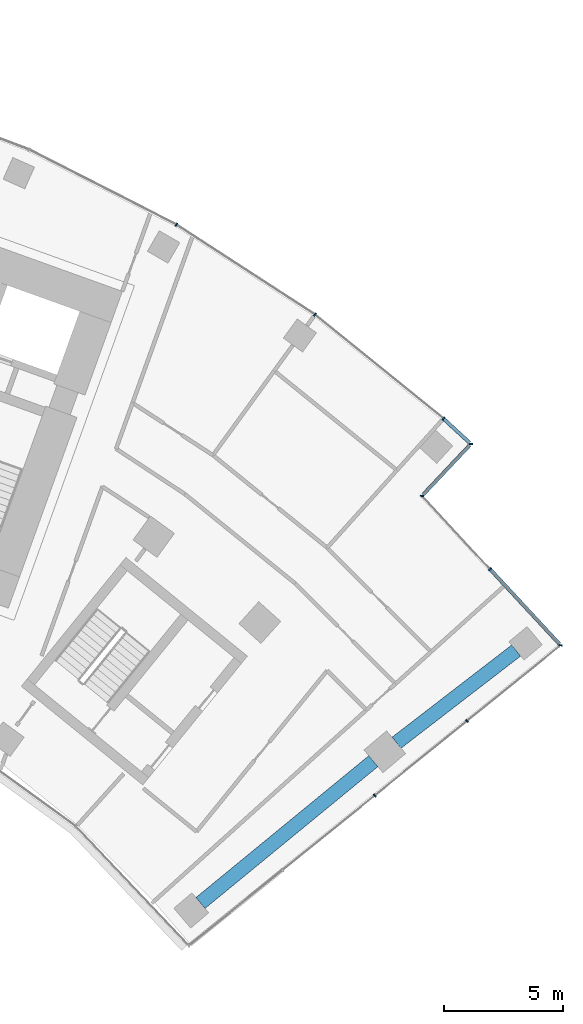
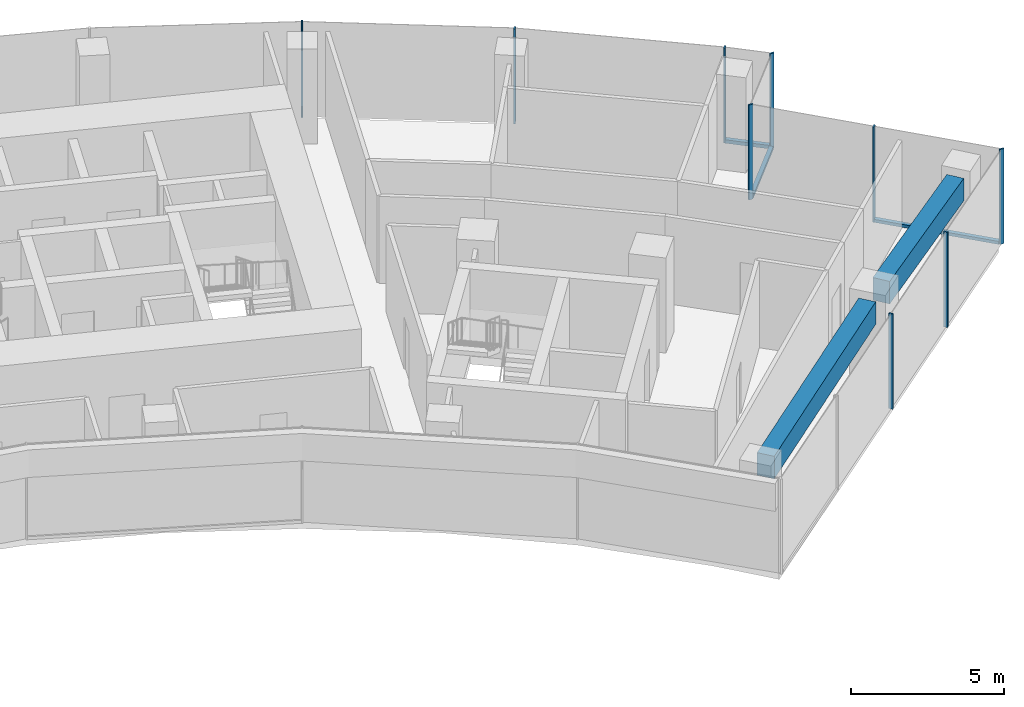
# One storey, part 9 of 21: 12 members, 2 beams, 4 elements without a shape of their own.
"""IFC4 building model written with IfcOpenShell, lengths in metres."""

import ifcopenshell
import ifcopenshell.guid

model = None  # the IFC model being written
_history = None  # IfcOwnerHistory: only IFC2X3 demands one
_inside = {}  # id of a spatial element -> (the spatial element, [elements in it])
_under = {}  # id of a project, library or spatial element -> (it, [spatial elements below it])
_declared = {}  # id of a project -> (the project, [libraries it declares])
_typed = {}  # id of a type object -> (the type object, [elements of that type])
_made_of = {}  # id of a material, layer set ... -> (it, [elements and type objects made of it])


def new_model(schema):
    """Start an empty IFC model of exactly this schema.

    Asked for "IFC4X3", IfcOpenShell would pick the latest addendum, in which some entities
    have other attributes; the version numbers below select the first issue.
    IFC2X3 requires an IfcOwnerHistory on every rooted entity: one is made here for all.
    """
    global model, _history
    if schema == "IFC4X3":
        model = ifcopenshell.file(schema_version=(4, 3, 0, 0))
    else:
        model = ifcopenshell.file(schema=schema)
    _inside.clear()
    _under.clear()
    _declared.clear()
    _typed.clear()
    _made_of.clear()
    _history = None
    if model.schema == "IFC2X3":
        org = make("IfcOrganization", Name="unknown")
        user = make(
            "IfcPersonAndOrganization",
            ThePerson=make("IfcPerson", FamilyName="unknown"),
            TheOrganization=org,
        )
        app = make(
            "IfcApplication",
            ApplicationDeveloper=org,
            Version="unknown",
            ApplicationFullName="unknown",
            ApplicationIdentifier="unknown",
        )
        _history = make(
            "IfcOwnerHistory",
            OwningUser=user,
            OwningApplication=app,
            ChangeAction="ADDED",
            CreationDate=0,
        )
    return model


def make(cls, **values):
    """One entity of the class cls with the attributes given. An attribute that is None is left unset."""
    return model.create_entity(
        cls, **{name: value for name, value in values.items() if value is not None}
    )


def rooted(cls, **values):
    """An entity with a GlobalId (a new one), such as an element, a storey or a relation."""
    return make(cls, GlobalId=ifcopenshell.guid.new(), OwnerHistory=_history, **values)


def si_unit(unit_type, name, prefix=None):
    """IfcSIUnit, for example si_unit("LENGTHUNIT", "METRE", prefix="MILLI")."""
    return make("IfcSIUnit", UnitType=unit_type, Prefix=prefix, Name=name)


def assignment(units):
    """IfcUnitAssignment: the units of a project."""
    return None if units is None else make("IfcUnitAssignment", Units=units)


def point(xyz):
    """IfcCartesianPoint."""
    return None if xyz is None else make("IfcCartesianPoint", Coordinates=xyz)


def direction(xyz):
    """IfcDirection."""
    return None if xyz is None else make("IfcDirection", DirectionRatios=xyz)


def frame(location, z_axis=None, x_axis=None):
    """IfcAxis2Placement3D, a coordinate frame: its origin and axes. An axis left out is left unset."""
    return make(
        "IfcAxis2Placement3D",
        Location=point(location),
        Axis=direction(z_axis),
        RefDirection=direction(x_axis),
    )


def frame_2d(location, x_axis=None):
    """IfcAxis2Placement2D, a coordinate frame in the plane: its origin and x axis."""
    return make(
        "IfcAxis2Placement2D", Location=point(location), RefDirection=direction(x_axis)
    )


def origin():
    """The frame at (0, 0, 0) with its axes left unset."""
    return frame((0.0, 0.0, 0.0))


def origin_2d():
    """The frame at (0, 0) in the plane with its x axis left unset."""
    return frame_2d((0.0, 0.0))


def place(relative_to, where):
    """IfcLocalPlacement: puts the frame where relative to a parent placement (None: the world)."""
    return make(
        "IfcLocalPlacement", PlacementRelTo=relative_to, RelativePlacement=where
    )


def context(
    kind, dimensions, precision=None, world=None, true_north=None, identifier=None
):
    """IfcGeometricRepresentationContext, for example the 3D "Model" context."""
    return make(
        "IfcGeometricRepresentationContext",
        ContextIdentifier=identifier,
        ContextType=kind,
        CoordinateSpaceDimension=dimensions,
        Precision=precision,
        WorldCoordinateSystem=world,
        TrueNorth=true_north,
    )


def subcontext(parent, identifier, kind, view, scale=None):
    """IfcGeometricRepresentationSubContext, for example "Body" below "Model"."""
    return make(
        "IfcGeometricRepresentationSubContext",
        ContextIdentifier=identifier,
        ContextType=kind,
        ParentContext=parent,
        TargetScale=scale,
        TargetView=view,
    )


def project(units=None, contexts=None):
    """IfcProject with its units and contexts."""
    return rooted(
        "IfcProject",
        Name="project",
        RepresentationContexts=contexts,
        UnitsInContext=assignment(units),
    )


def spatial(cls, under=None, at=None, **own):
    """A site, building, storey or space (cls), placed at a placement, below another one or the project."""
    s = rooted(cls, ObjectPlacement=at, **own)
    if under is not None:
        _under.setdefault(under.id(), (under, []))[1].append(s)
    return s


def profile(cls, at=None, kind="AREA", **sizes):
    """A parametric profile (cls). Its sizes go by their IFC names, for example OverallWidth=200.0."""
    return make(cls, ProfileType=kind, Position=at, **sizes)


def rectangle(**sizes):
    """IfcRectangleProfileDef."""
    return profile("IfcRectangleProfileDef", **sizes)


def extrude(swept, where, along, depth):
    """IfcExtrudedAreaSolid: the profile swept, set in the frame where, extruded along a direction by depth."""
    return make(
        "IfcExtrudedAreaSolid",
        SweptArea=swept,
        Position=where,
        ExtrudedDirection=direction(along),
        Depth=depth,
    )


def shape(context_of_items, identifier, shape_type, items):
    """IfcShapeRepresentation: the items that make up one representation, for example the "Body"."""
    return make(
        "IfcShapeRepresentation",
        ContextOfItems=context_of_items,
        RepresentationIdentifier=identifier,
        RepresentationType=shape_type,
        Items=items,
    )


def material(Name=None, Category=None):
    """IfcMaterial."""
    return make("IfcMaterial", Name=Name, Category=Category)


def layer(
    of_material, thickness, ventilated=None, Name=None, Category=None, Priority=None
):
    """IfcMaterialLayer: one layer of a wall or slab, of a material (None: an air gap)."""
    return make(
        "IfcMaterialLayer",
        Material=of_material,
        LayerThickness=thickness,
        IsVentilated=ventilated,
        Name=Name,
        Category=Category,
        Priority=Priority,
    )


def layer_set(layers, Name=None):
    """IfcMaterialLayerSet."""
    return make("IfcMaterialLayerSet", MaterialLayers=layers, LayerSetName=Name)


def material_profile(
    of_material, cross_section, Name=None, Category=None, Priority=None
):
    """IfcMaterialProfile: a cross section and its material."""
    return make(
        "IfcMaterialProfile",
        Name=Name,
        Material=of_material,
        Profile=cross_section,
        Priority=Priority,
        Category=Category,
    )


def profile_set(profiles, Name=None, composite=None):
    """IfcMaterialProfileSet."""
    return make(
        "IfcMaterialProfileSet",
        Name=Name,
        MaterialProfiles=profiles,
        CompositeProfile=composite,
    )


def made_of(thing, what):
    """Note that an element or type object is made of a material, layer set ...; save() writes the relation."""
    if what is not None:
        _made_of.setdefault(what.id(), (what, []))[1].append(thing)
    return thing


def type_object(cls, material=None, **own):
    """A type object (cls), such as IfcWallType, which elements share."""
    return made_of(rooted(cls, **own), material)


def element(
    cls,
    number,
    at=None,
    inside=None,
    cuts=None,
    type_object=None,
    material=None,
    context=None,
    identifier="Body",
    shape_type=None,
    held_by="IfcProductDefinitionShape",
    body=None,
    shapes=None,
    **own,
):
    """One element of the class cls, such as IfcWall. Its Tag is "e" and its number.

    at: its placement. inside: the storey or other place that contains it. cuts: it is an
    opening in that element (IfcRelVoidsElement). A single representation is given by context,
    identifier, shape_type and body (its items); several are given by shapes. held_by: the class
    of the entity that holds the representations. save() writes the other relations.
    """
    e = rooted(cls, Tag="e%d" % number, ObjectPlacement=at, **own)
    if body is not None:
        shapes = [shape(context, identifier, shape_type, body)]
    if shapes is not None:
        e.Representation = make(held_by, Representations=shapes)
    if inside is not None:
        _inside.setdefault(inside.id(), (inside, []))[1].append(e)
    if cuts is not None:
        rooted(
            "IfcRelVoidsElement", RelatingBuildingElement=cuts, RelatedOpeningElement=e
        )
    if type_object is not None:
        _typed.setdefault(type_object.id(), (type_object, []))[1].append(e)
    return made_of(e, material)


def aggregate(whole, parts):
    """IfcRelAggregates: a whole, such as a stair, and the parts it consists of."""
    return rooted("IfcRelAggregates", RelatingObject=whole, RelatedObjects=parts)


def save(model, path):
    """Write the relations noted so far, then the file.

    IfcRelAggregates (storeys below a building ...), IfcRelContainedInSpatialStructure (elements
    in a storey), IfcRelDefinesByType, IfcRelAssociatesMaterial and IfcRelDeclares: one each for
    every whole, place, type object, material and project.
    """
    for whole, parts in _under.values():
        aggregate(whole, parts)
    for where, things in _inside.values():
        rooted(
            "IfcRelContainedInSpatialStructure",
            RelatedElements=things,
            RelatingStructure=where,
        )
    for kind, things in _typed.values():
        rooted("IfcRelDefinesByType", RelatedObjects=things, RelatingType=kind)
    for what, things in _made_of.values():
        rooted("IfcRelAssociatesMaterial", RelatedObjects=things, RelatingMaterial=what)
    for by, libraries in _declared.values():
        rooted("IfcRelDeclares", RelatingContext=by, RelatedDefinitions=libraries)
    model.write(path)


model = new_model("IFC4")

# Units and contexts
model_context = context("Model", 3, precision=1e-05, world=origin(), true_north=direction((0.0, 1.0)))
body_context = subcontext(model_context, "Body", "Model", "MODEL_VIEW")
ifc_project = project(units=[si_unit("LENGTHUNIT", "METRE"), si_unit("AREAUNIT", "SQUARE_METRE"), si_unit("VOLUMEUNIT", "CUBIC_METRE"), si_unit("PLANEANGLEUNIT", "RADIAN"), si_unit("MASSUNIT", "GRAM", prefix="KILO")], contexts=[model_context])

# Site, building, storey
site_placement = place(None, origin())
site = spatial("IfcSite", under=ifc_project, at=site_placement, CompositionType="ELEMENT")
building_placement = place(site_placement, origin())
building = spatial("IfcBuilding", under=site, at=building_placement, Name="Stone Belt Terrace Tower", CompositionType="ELEMENT")
storey_placement = place(building_placement, frame((0.0, 0.0, 163.0)))
storey = spatial("IfcBuildingStorey", under=building, at=storey_placement, Name="L39", CompositionType="ELEMENT", Elevation=163.0)

# Curtain wall, members
ifc_material_1 = material(Name="Aluminium 6063-T6 anodised frame", Category="aluminium")
ifc_layer_1 = layer(ifc_material_1, 0.14990234375)
ifc_layer_set_1 = layer_set([ifc_layer_1], Name="CW-A unitised convex-face curtain wall")
curtain_wall_type_1 = type_object("IfcCurtainWallType", Name="CW-A unitised convex-face curtain wall", PredefinedType="NOTDEFINED", material=ifc_layer_set_1)
curtain_wall_1_placement = place(storey_placement, origin())
curtain_wall_1 = element("IfcCurtainWall", 1, at=curtain_wall_1_placement, inside=storey, type_object=curtain_wall_type_1, Name="CW-A convex face L39", PredefinedType="NOTDEFINED")
ifc_material_profile_1 = material_profile(ifc_material_1, rectangle(XDim=0.14990234375, YDim=0.06005859375, at=origin_2d()), Name="Aluminium 6063-T6 60x150")
ifc_profile_set_1 = profile_set([ifc_material_profile_1], Name="Aluminium 6063-T6 anodised frame")
member_type_1 = type_object("IfcMemberType", Name="CW-A mullion 60 x 150", PredefinedType="MULLION", material=ifc_profile_set_1)
member_1_placement = place(storey_placement, frame((45.705810546875, 48.40771484375, 0.0), z_axis=(0.0, 0.0, 1.0), x_axis=(-0.999371341174, -0.035453101983, 0.0)))
member_1 = element("IfcMember", 2, at=member_1_placement, type_object=member_type_1, Name="CW-A mullion 1", PredefinedType="MULLION", context=body_context, shape_type="SweptSolid", body=[
    extrude(rectangle(XDim=0.14990234375, YDim=0.06005859375, at=origin_2d()), origin(), (0.0, 0.0, 1.0), 3.800048828125),
])
member_2_placement = place(storey_placement, frame((44.546142578125, 49.475830078125, 0.0), z_axis=(0.0, 0.0, 1.0), x_axis=(-0.653721175671, -0.756735504968, 0.0)))
member_2 = element("IfcMember", 3, at=member_2_placement, type_object=member_type_1, Name="CW-A mullion 2", PredefinedType="MULLION", context=body_context, shape_type="SweptSolid", body=[
    extrude(rectangle(XDim=0.14990234375, YDim=0.06005859375, at=origin_2d()), origin(), (0.0, 0.0, 1.0), 3.800048828125),
])
member_3_placement = place(storey_placement, frame((39.1318359375, 53.8603515625, 0.0), z_axis=(0.0, 0.0, 1.0), x_axis=(-0.587785252292, -0.809016994375, 0.0)))
member_3 = element("IfcMember", 4, at=member_3_placement, type_object=member_type_1, Name="CW-A mullion 3", PredefinedType="MULLION", context=body_context, shape_type="SweptSolid", body=[
    extrude(rectangle(XDim=0.14990234375, YDim=0.06005859375, at=origin_2d()), origin(), (0.0, 0.0, 1.0), 3.800048828125),
])
member_4_placement = place(storey_placement, frame((33.28759765625, 57.65576171875, 0.0), z_axis=(0.0, 0.0, 1.0), x_axis=(-0.5, -0.866025403784, 0.0)))
member_4 = element("IfcMember", 5, at=member_4_placement, type_object=member_type_1, Name="CW-A mullion 4", PredefinedType="MULLION", context=body_context, shape_type="SweptSolid", body=[
    extrude(rectangle(XDim=0.14990234375, YDim=0.06005859375, at=origin_2d()), origin(), (0.0, 0.0, 1.0), 3.800048828125),
])
ifc_material_profile_2 = material_profile(ifc_material_1, rectangle(XDim=0.14990234375, YDim=0.139892578125, at=origin_2d()), Name="Aluminium 6063-T6 150x140")
ifc_profile_set_2 = profile_set([ifc_material_profile_2], Name="Aluminium 6063-T6 anodised frame")
member_type_2 = type_object("IfcMemberType", Name="CW-A transom 140 x 150", PredefinedType="USERDEFINED", material=ifc_profile_set_2)
member_5_placement = place(storey_placement, frame((45.651123046875, 48.458251953125, 0.070068359375), z_axis=(-0.735497183458, 0.677527780335, 0.0), x_axis=(-0.677527780335, -0.735497183458, 0.0)))
member_5 = element("IfcMember", 6, at=member_5_placement, type_object=member_type_2, Name="CW-A transom 1.1", ObjectType="TRANSOM", PredefinedType="USERDEFINED", context=body_context, shape_type="SweptSolid", body=[
    extrude(rectangle(XDim=0.14990234375, YDim=0.139892578125, at=origin_2d()), origin(), (0.0, 0.0, 1.0), 1.4697265625),
])
aggregate(curtain_wall_1, [member_1, member_2, member_3, member_4, member_5])

ifc_layer_2 = layer(ifc_material_1, 0.14990234375)
ifc_layer_set_2 = layer_set([ifc_layer_2], Name="CW-C stick curtain wall, horn ends and notches")
curtain_wall_type_2 = type_object("IfcCurtainWallType", Name="CW-C stick curtain wall, horn ends and notches", PredefinedType="NOTDEFINED", material=ifc_layer_set_2)
curtain_wall_2_placement = place(storey_placement, origin())
curtain_wall_2 = element("IfcCurtainWall", 7, at=curtain_wall_2_placement, inside=storey, type_object=curtain_wall_type_2, Name="CW-C end face L39", PredefinedType="NOTDEFINED")
ifc_material_profile_3 = material_profile(ifc_material_1, rectangle(XDim=0.14990234375, YDim=0.06005859375, at=origin_2d()), Name="Aluminium 6063-T6 60x150")
ifc_profile_set_3 = profile_set([ifc_material_profile_3], Name="Aluminium 6063-T6 anodised frame")
member_type_3 = type_object("IfcMemberType", Name="CW-C mullion 60 x 150", PredefinedType="MULLION", material=ifc_profile_set_3)
member_6_placement = place(storey_placement, frame((41.651123046875, 33.577392578125, 0.0), z_axis=(0.0, 0.0, 1.0), x_axis=(-0.628705337721, 0.777643619096, 0.0)))
member_6 = element("IfcMember", 8, at=member_6_placement, type_object=member_type_3, Name="CW-C mullion 3", PredefinedType="MULLION", context=body_context, shape_type="SweptSolid", body=[
    extrude(rectangle(XDim=0.14990234375, YDim=0.06005859375, at=origin_2d()), origin(), (0.0, 0.0, 1.0), 3.800048828125),
])
member_7_placement = place(storey_placement, frame((45.539306640625, 36.720947265625, 0.0), z_axis=(0.0, 0.0, 1.0), x_axis=(-0.628705337721, 0.777643619096, 0.0)))
member_7 = element("IfcMember", 9, at=member_7_placement, type_object=member_type_3, Name="CW-C mullion 4", PredefinedType="MULLION", context=body_context, shape_type="SweptSolid", body=[
    extrude(rectangle(XDim=0.14990234375, YDim=0.06005859375, at=origin_2d()), origin(), (0.0, 0.0, 1.0), 3.800048828125),
])
aggregate(curtain_wall_2, [member_6, member_7])

curtain_wall_3_placement = place(storey_placement, origin())
curtain_wall_3 = element("IfcCurtainWall", 10, at=curtain_wall_3_placement, inside=storey, type_object=curtain_wall_type_2, Name="CW-C notch face L39", PredefinedType="NOTDEFINED")
member_8_placement = place(storey_placement, frame((49.489990234375, 39.9150390625, 0.0), z_axis=(0.0, 0.0, 1.0), x_axis=(-0.997432350624, 0.07161498397, 0.0)))
member_8 = element("IfcMember", 11, at=member_8_placement, type_object=member_type_3, Name="CW-C mullion 1", PredefinedType="MULLION", context=body_context, shape_type="SweptSolid", body=[
    extrude(rectangle(XDim=0.14990234375, YDim=0.06005859375, at=origin_2d()), origin(), (0.0, 0.0, 1.0), 3.800048828125),
])
member_9_placement = place(storey_placement, frame((46.516357421875, 43.12255859375, 0.0), z_axis=(0.0, 0.0, 1.0), x_axis=(-0.733352329176, -0.679848778253, 0.0)))
member_9 = element("IfcMember", 12, at=member_9_placement, type_object=member_type_3, Name="CW-C mullion 2", PredefinedType="MULLION", context=body_context, shape_type="SweptSolid", body=[
    extrude(rectangle(XDim=0.14990234375, YDim=0.06005859375, at=origin_2d()), origin(), (0.0, 0.0, 1.0), 3.800048828125),
])

# Curtain wall, member
curtain_wall_4_placement = place(storey_placement, origin())
curtain_wall_4 = element("IfcCurtainWall", 13, at=curtain_wall_4_placement, inside=storey, type_object=curtain_wall_type_2, Name="CW-C notch face L39", PredefinedType="NOTDEFINED")
member_10_placement = place(storey_placement, frame((43.644775390625, 46.219970703125, 0.0), z_axis=(0.0, 0.0, 1.0), x_axis=(-0.999991971313, 0.004007157395, 0.0)))
member_10 = element("IfcMember", 14, at=member_10_placement, type_object=member_type_3, Name="CW-C mullion 1", PredefinedType="MULLION", context=body_context, shape_type="SweptSolid", body=[
    extrude(rectangle(XDim=0.14990234375, YDim=0.06005859375, at=origin_2d()), origin(), (0.0, 0.0, 1.0), 3.800048828125),
])

# Member
ifc_material_profile_4 = material_profile(ifc_material_1, rectangle(XDim=0.14990234375, YDim=0.1201171875, at=origin_2d()), Name="Aluminium 6063-T6 150x120")
ifc_profile_set_4 = profile_set([ifc_material_profile_4], Name="Aluminium 6063-T6 anodised frame")
member_type_4 = type_object("IfcMemberType", Name="CW-C transom 120 x 150", PredefinedType="USERDEFINED", material=ifc_profile_set_4)
member_11_placement = place(storey_placement, frame((49.438720703125, 39.97021484375, 0.06005859375), z_axis=(-0.67986295922, 0.733339182562, 0.0), x_axis=(-0.733339182562, -0.67986295922, 0.0)))
member_11 = element("IfcMember", 15, at=member_11_placement, type_object=member_type_4, Name="CW-C transom 1.1", ObjectType="TRANSOM", PredefinedType="USERDEFINED", context=body_context, shape_type="SweptSolid", body=[
    extrude(rectangle(XDim=0.14990234375, YDim=0.1201171875, at=origin_2d()), origin(), (0.0, 0.0, 1.0), 4.2685546875),
])

aggregate(curtain_wall_3, [member_8, member_9, member_11])

member_12_placement = place(storey_placement, frame((43.695068359375, 46.273193359375, 0.06005859375), z_axis=(0.685649738624, 0.727931614869, 0.0), x_axis=(-0.727931614869, 0.685649738624, 0.0)))
member_12 = element("IfcMember", 16, at=member_12_placement, type_object=member_type_4, Name="CW-C transom 1.1", ObjectType="TRANSOM", PredefinedType="USERDEFINED", context=body_context, shape_type="SweptSolid", body=[
    extrude(rectangle(XDim=0.14990234375, YDim=0.1201171875, at=origin_2d()), origin(), (0.0, 0.0, 1.0), 2.858154296875),
])

aggregate(curtain_wall_4, [member_10, member_12])

# Beams
ifc_material_2 = material(Name="Concrete B60", Category="concrete")
ifc_material_profile_5 = material_profile(ifc_material_2, rectangle(XDim=0.60009765625, YDim=0.89990234375, at=origin_2d()), Name="RC 600x900")
ifc_profile_set_5 = profile_set([ifc_material_profile_5], Name="Concrete B60")
beam_type = type_object("IfcBeamType", Name="Edge beam RC 600x900 B60", PredefinedType="SPANDREL", material=ifc_profile_set_5)
beam_1_placement = place(storey_placement, frame((34.298583984375, 29.045654296875, 3.030029296875), z_axis=(0.773152783666, 0.634219814505, 0.0), x_axis=(-0.634219814505, 0.773152783666, 0.0)))
element("IfcBeam", 17, at=beam_1_placement, inside=storey, type_object=beam_type, Name="Edge beam L39 B P to Q", PredefinedType="SPANDREL", context=body_context, shape_type="SweptSolid", body=[
    extrude(rectangle(XDim=0.60009765625, YDim=0.89990234375, at=origin_2d()), origin(), (0.0, 0.0, 1.0), 9.43115234375),
])
beam_2_placement = place(storey_placement, frame((42.569091796875, 35.80517578125, 3.030029296875), z_axis=(0.792093595683, 0.610399652423, 0.0), x_axis=(-0.610399652423, 0.792093595683, 0.0)))
element("IfcBeam", 18, at=beam_2_placement, inside=storey, type_object=beam_type, Name="Edge beam L39 B Q to R", PredefinedType="SPANDREL", context=body_context, shape_type="SweptSolid", body=[
    extrude(rectangle(XDim=0.60009765625, YDim=0.89990234375, at=origin_2d()), origin(), (0.0, 0.0, 1.0), 6.369140625),
])

save(model, "model.ifc")
